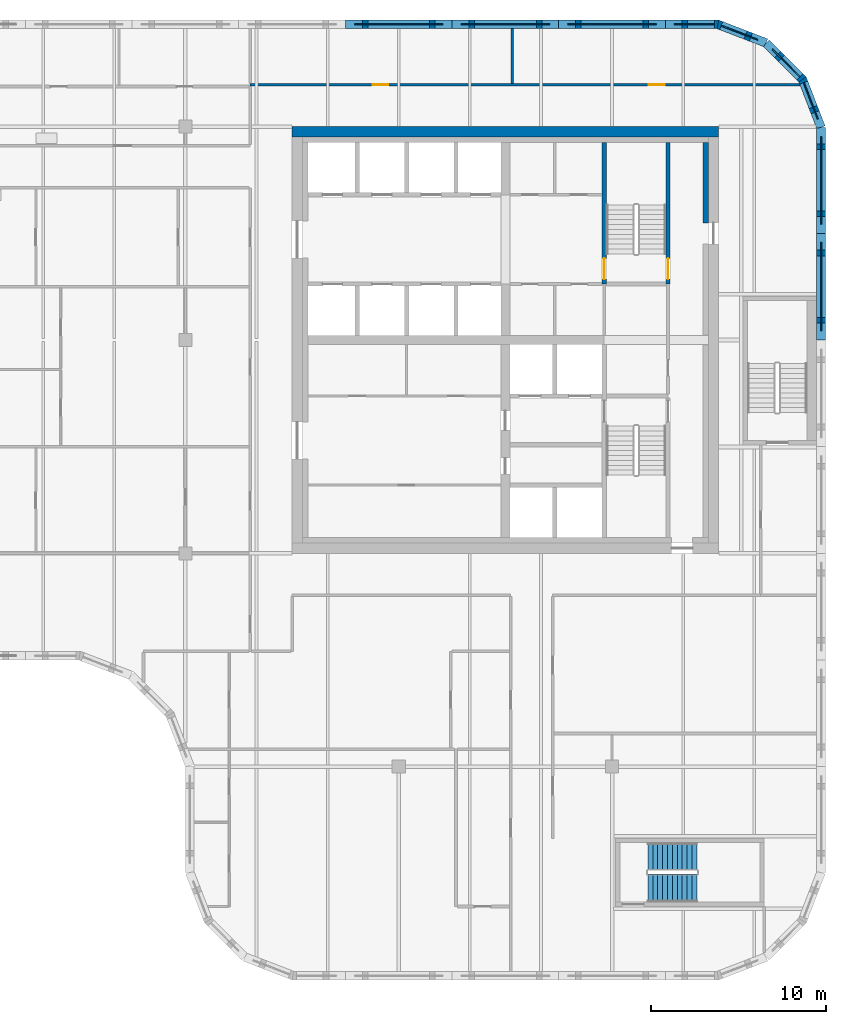
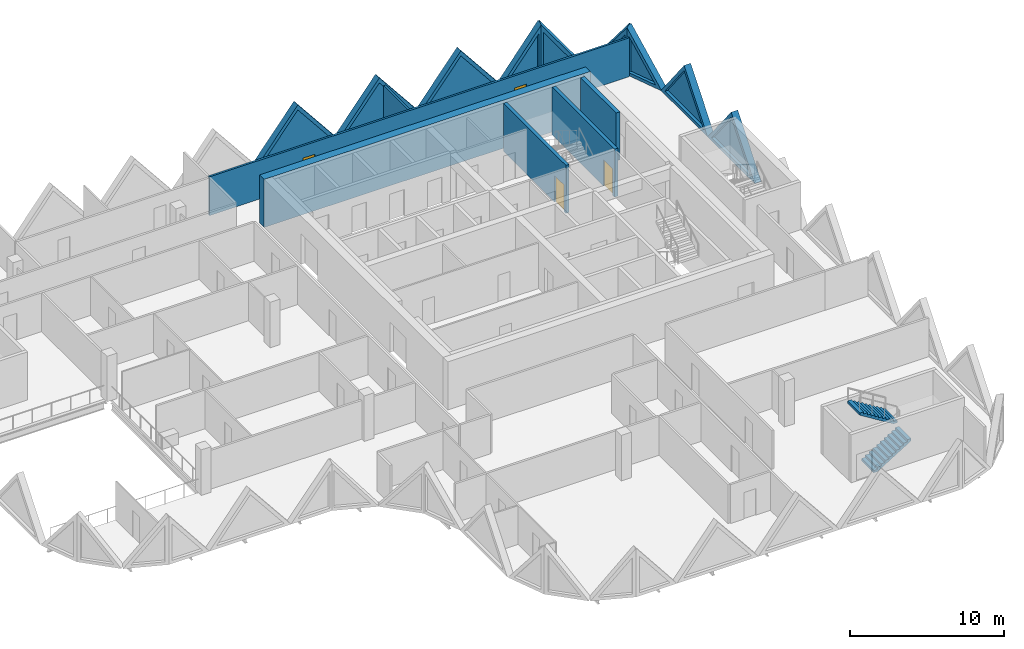
# One storey, part 9 of 12: 15 walls, 9 plates, 4 doors, 2 stair flights, 13 openings, 1 element without a shape of its own.
"""IFC4 building model written with IfcOpenShell, lengths in metres."""

from ifc_helpers import new_model, si_unit, direction, frame, frame_2d, origin, place, context, subcontext, project, spatial, polyline, rectangle, outline, extrude, faceted_brep, source, transform, mapped, material, layer, layer_set, type_object, element, fill, aggregate, save


model = new_model("IFC4")

# Units and contexts
model_context = context("Model", 3, precision=1e-05, world=origin(), true_north=direction((0.0, 1.0)))
body_context = subcontext(model_context, "Body", "Model", "MODEL_VIEW")
ifc_project = project(units=[si_unit("LENGTHUNIT", "METRE"), si_unit("AREAUNIT", "SQUARE_METRE"), si_unit("VOLUMEUNIT", "CUBIC_METRE"), si_unit("PLANEANGLEUNIT", "RADIAN"), si_unit("MASSUNIT", "GRAM", prefix="KILO")], contexts=[model_context])

# Site, building, storey
site_placement = place(None, origin())
site = spatial("IfcSite", under=ifc_project, at=site_placement, CompositionType="ELEMENT")
building_placement = place(site_placement, origin())
building = spatial("IfcBuilding", under=site, at=building_placement, Name="Tessera Gate Towers", CompositionType="ELEMENT")
storey_placement = place(building_placement, frame((0.0, 0.0, 155.39990234375)))
storey = spatial("IfcBuildingStorey", under=building, at=storey_placement, Name="L38", CompositionType="ELEMENT", Elevation=155.39990234375)

# Wall, opening, door
ifc_material_1 = material(Name="Concrete C40/50", Category="concrete")
ifc_layer_1 = layer(ifc_material_1, 0.25)
ifc_layer_set_1 = layer_set([ifc_layer_1], Name="CORE ENCLOSURE WALL 250")
wall_type_1 = type_object("IfcWallType", Name="CORE ENCLOSURE WALL 250", PredefinedType="SOLIDWALL", material=ifc_layer_set_1)
wall_1_placement = place(storey_placement, frame((48.35009765625, 47.89990234375, 0.0), z_axis=(0.0, 0.0, 1.0), x_axis=(0.0, -1.0, 0.0)))
wall_1 = element("IfcWall", 1, at=wall_1_placement, inside=storey, type_object=wall_type_1, Name="L38 shaft and stair enclosure wall", PredefinedType="SOLIDWALL", context=body_context, shape_type="SweptSolid", body=[
    extrude(rectangle(XDim=8.099853515625, YDim=0.25, at=frame_2d((4.0498046875, 0.0))), origin(), (0.0, 0.0, 1.0), 3.800048828125),
])
shared_shape_1 = source(origin(), body_context, "Body", "SweptSolid", [
    extrude(rectangle(XDim=1.199951171875, YDim=2.10009765625, at=frame_2d((0.60009765625, 1.050048828125))), frame((0.0, 0.135009765625, 0.0), z_axis=(0.0, -1.0, 0.0), x_axis=(1.0, 0.0, 0.0)), (0.0, 0.0, 1.0), 0.27001953125),
])
opening_1_placement = place(wall_1_placement, frame((6.625, 0.0, 0.0)))
opening_1 = element("IfcOpeningElement", 2, at=opening_1_placement, cuts=wall_1, Name="Opening SD-ST2-1", PredefinedType="OPENING", context=body_context, shape_type="MappedRepresentation", body=[
    mapped(shared_shape_1, transform((0.0, 0.0, 0.0), scale=1.0)),
])
ifc_material_2 = material(Name="Hollow steel fire door", Category="steel")
door_type_1 = type_object("IfcDoorType", Name="CORE DOOR SD 1200x2100", OperationType="NOTDEFINED", PredefinedType="DOOR", material=ifc_material_2)
shared_shape_2 = source(origin(), body_context, "Body", "SweptSolid", [
    extrude(rectangle(XDim=1.199951171875, YDim=2.10009765625, at=frame_2d((0.60009765625, 1.050048828125))), frame((0.0, 0.02490234375, 0.0), z_axis=(0.0, -1.0, 0.0), x_axis=(1.0, 0.0, 0.0)), (0.0, 0.0, 1.0), 0.050048828125),
])
door_1_placement = place(opening_1_placement, origin())
door_1 = element("IfcDoor", 3, at=door_1_placement, inside=storey, type_object=door_type_1, Name="Stair door", OperationType="SINGLE_SWING_RIGHT", OverallHeight=2.10009765625, OverallWidth=1.199951171875, PredefinedType="DOOR", context=body_context, shape_type="MappedRepresentation", body=[
    mapped(shared_shape_2, transform((0.0, 0.0, 0.0), scale=1.0)),
])
fill(opening_1, door_1)

wall_2_placement = place(storey_placement, frame((52.0, 39.800048828125, 0.0), z_axis=(0.0, 0.0, 1.0), x_axis=(0.0, 1.0, 0.0)))
wall_2 = element("IfcWall", 4, at=wall_2_placement, inside=storey, type_object=wall_type_1, Name="L38 shaft and stair enclosure wall", PredefinedType="SOLIDWALL", context=body_context, shape_type="SweptSolid", body=[
    extrude(rectangle(XDim=8.099853515625, YDim=0.25, at=frame_2d((4.0498046875, 0.0))), origin(), (0.0, 0.0, 1.0), 3.800048828125),
])
opening_2_placement = place(wall_2_placement, frame((0.27490234375, 0.0, 0.0)))
opening_2 = element("IfcOpeningElement", 5, at=opening_2_placement, cuts=wall_2, Name="Opening SD-ST2-2", PredefinedType="OPENING", context=body_context, shape_type="MappedRepresentation", body=[
    mapped(shared_shape_1, transform((0.0, 0.0, 0.0), scale=1.0)),
])
door_2_placement = place(opening_2_placement, origin())
door_2 = element("IfcDoor", 6, at=door_2_placement, inside=storey, type_object=door_type_1, Name="Stair door", OperationType="SINGLE_SWING_LEFT", OverallHeight=2.10009765625, OverallWidth=1.199951171875, PredefinedType="DOOR", context=body_context, shape_type="MappedRepresentation", body=[
    mapped(shared_shape_2, transform((0.0, 0.0, 0.0), scale=1.0)),
])
fill(opening_2, door_2)

# Walls
ifc_material_3 = material(Name="Concrete C50/60", Category="concrete")
ifc_layer_2 = layer(ifc_material_3, 0.60009765625)
ifc_layer_set_2 = layer_set([ifc_layer_2], Name="CORE SHEAR WALL 600 C50/60")
wall_type_2 = type_object("IfcWallType", Name="CORE SHEAR WALL 600 C50/60", PredefinedType="SHEAR", material=ifc_layer_set_2)
wall_3_placement = place(storey_placement, frame((30.5, 48.5, 0.0), z_axis=(0.0, 0.0, 1.0), x_axis=(1.0, 0.0, 0.0)))
element("IfcWall", 7, at=wall_3_placement, inside=storey, type_object=wall_type_2, Name="Core wall N L38", PredefinedType="SHEAR", context=body_context, shape_type="SweptSolid", body=[
    extrude(rectangle(XDim=24.39990234375, YDim=0.60009765625, at=frame_2d((12.199951171875, 0.0))), origin(), (0.0, 0.0, 1.0), 3.800048828125),
])
ifc_material_4 = material(Name="Concrete C50/60", Category="concrete")
ifc_layer_3 = layer(ifc_material_4, 0.300048828125)
ifc_layer_set_3 = layer_set([ifc_layer_3], Name="CORE WALL THICKENING 300")
wall_type_3 = type_object("IfcWallType", Name="CORE WALL THICKENING 300", PredefinedType="SOLIDWALL", material=ifc_layer_set_3)
wall_4_placement = place(storey_placement, frame((54.14990234375, 43.300048828125, 0.0), z_axis=(0.0, 0.0, 1.0), x_axis=(0.0, 1.0, 0.0)))
element("IfcWall", 8, at=wall_4_placement, inside=storey, type_object=wall_type_3, Name="Core wall thickening E L38", PredefinedType="SOLIDWALL", context=body_context, shape_type="SweptSolid", body=[
    extrude(rectangle(XDim=4.599853515625, YDim=0.300048828125, at=frame_2d((2.2998046875, 0.0))), origin(), (0.0, 0.0, 1.0), 3.800048828125),
])

# Wall, openings, doors
ifc_material_5 = material(Name="Gypsum board on steel studs, mineral wool", Category="steel")
ifc_layer_4 = layer(ifc_material_5, 0.14990234375)
ifc_layer_set_4 = layer_set([ifc_layer_4], Name="CORRIDOR WALL 150")
wall_type_4 = type_object("IfcWallType", Name="CORRIDOR WALL 150", PredefinedType="PARTITIONING", material=ifc_layer_set_4)
wall_5_placement = place(storey_placement, frame((28.10009765625, 51.199951171875, 0.0), z_axis=(0.0, 0.0, 1.0), x_axis=(1.0, 0.0, 0.0)))
wall_5 = element("IfcWall", 9, at=wall_5_placement, inside=storey, type_object=wall_type_4, Name="T1-L38-PW-048", PredefinedType="PARTITIONING", context=body_context, shape_type="SweptSolid", body=[
    extrude(rectangle(XDim=31.438232421875, YDim=0.14990234375, at=frame_2d((15.71923828125, 0.0))), origin(), (0.0, 0.0, 1.0), 3.067138671875),
])
shared_shape_3 = source(origin(), body_context, "Body", "SweptSolid", [
    extrude(rectangle(XDim=0.89990234375, YDim=2.10009765625, at=frame_2d((0.449951171875, 1.050048828125))), frame((0.0, 0.0849609375, 0.0), z_axis=(0.0, -1.0, 0.0), x_axis=(1.0, 0.0, 0.0)), (0.0, 0.0, 1.0), 0.169921875),
])
opening_3_placement = place(wall_5_placement, frame((7.0, 0.0, 0.0)))
opening_3 = element("IfcOpeningElement", 10, at=opening_3_placement, cuts=wall_5, Name="Opening D890FD60-A14-04", PredefinedType="OPENING", context=body_context, shape_type="MappedRepresentation", body=[
    mapped(shared_shape_3, transform((0.0, 0.0, 0.0), scale=1.0)),
])
opening_4_placement = place(wall_5_placement, frame((22.800048828125, 0.0, 0.0)))
opening_4 = element("IfcOpeningElement", 11, at=opening_4_placement, cuts=wall_5, Name="Opening D890FD60-A14-05", PredefinedType="OPENING", context=body_context, shape_type="MappedRepresentation", body=[
    mapped(shared_shape_3, transform((0.0, 0.0, 0.0), scale=1.0)),
])
ifc_material_6 = material(Name="Timber door leaf in steel frame", Category="steel")
door_type_2 = type_object("IfcDoorType", Name="CORRIDOR DOOR 900 FD60", OperationType="NOTDEFINED", PredefinedType="DOOR", material=ifc_material_6)
shared_shape_4 = source(origin(), body_context, "Body", "SweptSolid", [
    extrude(rectangle(XDim=0.89990234375, YDim=2.10009765625, at=frame_2d((0.449951171875, 1.050048828125))), frame((0.0, 0.02490234375, 0.0), z_axis=(0.0, -1.0, 0.0), x_axis=(1.0, 0.0, 0.0)), (0.0, 0.0, 1.0), 0.050048828125),
])
door_3_placement = place(opening_3_placement, origin())
door_3 = element("IfcDoor", 12, at=door_3_placement, inside=storey, type_object=door_type_2, Name="T1-L38-PD-027", OperationType="SINGLE_SWING_LEFT", OverallHeight=2.10009765625, OverallWidth=0.89990234375, PredefinedType="DOOR", context=body_context, shape_type="MappedRepresentation", body=[
    mapped(shared_shape_4, transform((0.0, 0.0, 0.0), scale=1.0)),
])
fill(opening_3, door_3)
door_4_placement = place(opening_4_placement, origin())
door_4 = element("IfcDoor", 13, at=door_4_placement, inside=storey, type_object=door_type_2, Name="T1-L38-PD-028", OperationType="SINGLE_SWING_LEFT", OverallHeight=2.10009765625, OverallWidth=0.89990234375, PredefinedType="DOOR", context=body_context, shape_type="MappedRepresentation", body=[
    mapped(shared_shape_4, transform((0.0, 0.0, 0.0), scale=1.0)),
])
fill(opening_4, door_4)

# Wall
ifc_material_7 = material(Name="Gypsum board on steel studs, mineral wool", Category="steel")
ifc_layer_5 = layer(ifc_material_7, 0.14990234375)
ifc_layer_set_5 = layer_set([ifc_layer_5], Name="TENANCY WALL 150")
wall_type_5 = type_object("IfcWallType", Name="TENANCY WALL 150", PredefinedType="PARTITIONING", material=ifc_layer_set_5)
wall_6_placement = place(storey_placement, frame((43.10009765625, 51.27587890625, 0.0), z_axis=(0.0, 0.0, 1.0), x_axis=(0.0, 1.0, 0.0)))
element("IfcWall", 14, at=wall_6_placement, inside=storey, type_object=wall_type_5, Name="T1-L38-PW-050", PredefinedType="PARTITIONING", context=body_context, shape_type="SweptSolid", body=[
    extrude(rectangle(XDim=3.1240234375, YDim=0.14990234375, at=frame_2d((1.56201171875, 0.0))), origin(), (0.0, 0.0, 1.0), 3.067138671875),
])

# Wall, opening, plate
ifc_material_8 = material(Name="Precast concrete C60/75 white", Category="concrete")
ifc_layer_6 = layer(ifc_material_8, 0.5)
ifc_layer_set_6 = layer_set([ifc_layer_6], Name="TS3 corner tessera")
wall_type_6 = type_object("IfcWallType", Name="TS3 corner tessera", PredefinedType="SOLIDWALL", material=ifc_layer_set_6)
shared_shape_5 = source(origin(), body_context, "Body", "Brep", [
    faceted_brep([(3.050048828125, -0.25, 0.0), (0.046630859375, -0.25, 3.800048828125), (0.0, -0.25, 3.739990234375), (0.0, -0.25, 0.0), (0.09326171875, 0.25, 3.7412109375), (3.050048828125, 0.25, 0.0), (0.09326171875, 0.25, 0.0), (0.046630859375, 0.0, 3.800048828125)], [[[0, 1, 2, 3]], [[4, 5, 6]], [[5, 4, 7, 1, 0]], [[2, 1, 7]], [[6, 5, 0, 3]], [[6, 3, 2, 7, 4]]]),
])
wall_7_placement = place(storey_placement, frame((54.900146484375, 54.64990234375, 0.0), z_axis=(0.0, 0.0, 1.0), x_axis=(-1.0, 0.0, 0.0)))
wall_7 = element("IfcWall", 15, at=wall_7_placement, inside=storey, type_object=wall_type_6, Name="Precast corner tessera T1 TS3-0874", PredefinedType="SOLIDWALL", context=body_context, shape_type="MappedRepresentation", body=[
    mapped(shared_shape_5, transform((0.0, 0.0, 0.0), scale=1.0)),
])
shared_shape_6 = source(origin(), body_context, "Body", "SweptSolid", [
    extrude(outline(polyline([(2.533935546875, 0.25), (0.24658203125, 3.143798828125), (0.24658203125, 0.25), (2.533935546875, 0.25)])), frame((0.0, 0.260009765625, 0.0), z_axis=(0.0, -1.0, 0.0), x_axis=(1.0, 0.0, 0.0)), (0.0, 0.0, 1.0), 0.52001953125),
])
opening_5_placement = place(wall_7_placement, origin())
opening_5 = element("IfcOpeningElement", 16, at=opening_5_placement, cuts=wall_7, Name="Opening T1-PL1-0395", PredefinedType="OPENING", context=body_context, shape_type="MappedRepresentation", body=[
    mapped(shared_shape_6, transform((0.0, 0.0, 0.0), scale=1.0)),
])
ifc_material_9 = material(Name="Low-e laminated glass", Category="glass")
ifc_layer_7 = layer(ifc_material_9, 0.06005859375)
ifc_layer_set_7 = layer_set([ifc_layer_7], Name="PL1 triangular pane")
plate_type = type_object("IfcPlateType", Name="PL1 triangular pane", PredefinedType="SHEET", material=ifc_layer_set_7)
shared_shape_7 = source(origin(), body_context, "Body", "SweptSolid", [
    extrude(outline(polyline([(2.533935546875, 0.25), (0.24658203125, 3.143798828125), (0.24658203125, 0.25), (2.533935546875, 0.25)])), frame((0.0, 0.030029296875, 0.0), z_axis=(0.0, -1.0, 0.0), x_axis=(1.0, 0.0, 0.0)), (0.0, 0.0, 1.0), 0.06005859375),
])
plate_1_placement = place(opening_5_placement, origin())
plate_1 = element("IfcPlate", 17, at=plate_1_placement, inside=storey, type_object=plate_type, Name="Glass pane T1 PL1-0395", PredefinedType="SHEET", context=body_context, shape_type="MappedRepresentation", body=[
    mapped(shared_shape_7, transform((0.0, 0.0, 0.0), scale=1.0)),
])
fill(opening_5, plate_1)

ifc_material_10 = material(Name="Precast concrete C60/75 white", Category="concrete")
ifc_layer_8 = layer(ifc_material_10, 0.5)
ifc_layer_set_8 = layer_set([ifc_layer_8], Name="TS2 half tessera")
wall_type_7 = type_object("IfcWallType", Name="TS2 half tessera", PredefinedType="SOLIDWALL", material=ifc_layer_set_8)
shared_shape_8 = source(origin(), body_context, "Body", "Brep", [
    faceted_brep([(6.099853515625, -0.25, 0.000244140625), (3.050048828125, -0.25, 3.800048828125), (0.0, -0.25, 0.0), (6.099853515625, -0.25, 0.0), (0.0, 0.25, 0.0), (3.050048828125, 0.25, 3.800048828125), (6.099853515625, 0.25, 0.000244140625), (6.099853515625, 0.25, 0.0)], [[[0, 1, 2, 3]], [[4, 5, 6, 7]], [[6, 5, 1, 0]], [[5, 4, 2, 1]], [[4, 7, 3, 2]], [[3, 7, 6, 0]]]),
])
wall_8_placement = place(storey_placement, frame((60.75, 36.60009765625, 0.0), z_axis=(0.0, 0.0, 1.0), x_axis=(0.0, 1.0, 0.0)))
wall_8 = element("IfcWall", 18, at=wall_8_placement, inside=storey, type_object=wall_type_7, Name="Precast half tessera T1 TS2-0192", PredefinedType="SOLIDWALL", context=body_context, shape_type="MappedRepresentation", body=[
    mapped(shared_shape_8, transform((0.0, 0.0, 0.0), scale=1.0)),
])
shared_shape_9 = source(origin(), body_context, "Body", "SweptSolid", [
    extrude(outline(polyline([(5.578857421875, 0.25), (3.050048828125, 3.400634765625), (0.521240234375, 0.25), (5.578857421875, 0.25)])), frame((0.0, 0.260009765625, 0.0), z_axis=(0.0, -1.0, 0.0), x_axis=(1.0, 0.0, 0.0)), (0.0, 0.0, 1.0), 0.52001953125),
])
opening_6_placement = place(wall_8_placement, origin())
opening_6 = element("IfcOpeningElement", 19, at=opening_6_placement, cuts=wall_8, Name="Opening T1-PL1-0390", PredefinedType="OPENING", context=body_context, shape_type="MappedRepresentation", body=[
    mapped(shared_shape_9, transform((0.0, 0.0, 0.0), scale=1.0)),
])
shared_shape_10 = source(origin(), body_context, "Body", "SweptSolid", [
    extrude(outline(polyline([(5.578857421875, 0.25), (3.050048828125, 3.400634765625), (0.521240234375, 0.25), (5.578857421875, 0.25)])), frame((0.0, 0.030029296875, 0.0), z_axis=(0.0, -1.0, 0.0), x_axis=(1.0, 0.0, 0.0)), (0.0, 0.0, 1.0), 0.06005859375),
])
plate_2_placement = place(opening_6_placement, origin())
plate_2 = element("IfcPlate", 20, at=plate_2_placement, inside=storey, type_object=plate_type, Name="Glass pane T1 PL1-0390", PredefinedType="SHEET", context=body_context, shape_type="MappedRepresentation", body=[
    mapped(shared_shape_10, transform((0.0, 0.0, 0.0), scale=1.0)),
])
fill(opening_6, plate_2)

wall_9_placement = place(storey_placement, frame((39.64990234375, 54.64990234375, 0.0), z_axis=(0.0, 0.0, 1.0), x_axis=(-1.0, 0.0, 0.0)))
wall_9 = element("IfcWall", 21, at=wall_9_placement, inside=storey, type_object=wall_type_7, Name="Precast half tessera T1 TS2-0196", PredefinedType="SOLIDWALL", context=body_context, shape_type="MappedRepresentation", body=[
    mapped(shared_shape_8, transform((0.0, 0.0, 0.0), scale=1.0)),
])
opening_7_placement = place(wall_9_placement, origin())
opening_7 = element("IfcOpeningElement", 22, at=opening_7_placement, cuts=wall_9, Name="Opening T1-PL1-0398", PredefinedType="OPENING", context=body_context, shape_type="MappedRepresentation", body=[
    mapped(shared_shape_9, transform((0.0, 0.0, 0.0), scale=1.0)),
])
plate_3_placement = place(opening_7_placement, origin())
plate_3 = element("IfcPlate", 23, at=plate_3_placement, inside=storey, type_object=plate_type, Name="Glass pane T1 PL1-0398", PredefinedType="SHEET", context=body_context, shape_type="MappedRepresentation", body=[
    mapped(shared_shape_10, transform((0.0, 0.0, 0.0), scale=1.0)),
])
fill(opening_7, plate_3)

shared_shape_11 = source(origin(), body_context, "Body", "SweptSolid", [
    extrude(outline(polyline([(6.10009765625, 0.0), (3.050048828125, 3.800048828125), (0.0, 0.0), (6.10009765625, 0.0)])), frame((0.0, 0.25, 0.0), z_axis=(0.0, -1.0, 0.0), x_axis=(1.0, 0.0, 0.0)), (0.0, 0.0, 1.0), 0.5),
])
wall_10_placement = place(storey_placement, frame((51.85009765625, 54.64990234375, 0.0), z_axis=(0.0, 0.0, 1.0), x_axis=(-1.0, 0.0, 0.0)))
wall_10 = element("IfcWall", 24, at=wall_10_placement, inside=storey, type_object=wall_type_7, Name="Precast half tessera T1 TS2-0194", PredefinedType="SOLIDWALL", context=body_context, shape_type="MappedRepresentation", body=[
    mapped(shared_shape_11, transform((0.0, 0.0, 0.0), scale=1.0)),
])
opening_8_placement = place(wall_10_placement, origin())
opening_8 = element("IfcOpeningElement", 25, at=opening_8_placement, cuts=wall_10, Name="Opening T1-PL1-0396", PredefinedType="OPENING", context=body_context, shape_type="MappedRepresentation", body=[
    mapped(shared_shape_9, transform((0.0, 0.0, 0.0), scale=1.0)),
])
plate_4_placement = place(opening_8_placement, origin())
plate_4 = element("IfcPlate", 26, at=plate_4_placement, inside=storey, type_object=plate_type, Name="Glass pane T1 PL1-0396", PredefinedType="SHEET", context=body_context, shape_type="MappedRepresentation", body=[
    mapped(shared_shape_10, transform((0.0, 0.0, 0.0), scale=1.0)),
])
fill(opening_8, plate_4)

wall_11_placement = place(storey_placement, frame((45.75, 54.64990234375, 0.0), z_axis=(0.0, 0.0, 1.0), x_axis=(-1.0, 0.0, 0.0)))
wall_11 = element("IfcWall", 27, at=wall_11_placement, inside=storey, type_object=wall_type_7, Name="Precast half tessera T1 TS2-0195", PredefinedType="SOLIDWALL", context=body_context, shape_type="MappedRepresentation", body=[
    mapped(shared_shape_11, transform((0.0, 0.0, 0.0), scale=1.0)),
])
opening_9_placement = place(wall_11_placement, origin())
opening_9 = element("IfcOpeningElement", 28, at=opening_9_placement, cuts=wall_11, Name="Opening T1-PL1-0397", PredefinedType="OPENING", context=body_context, shape_type="MappedRepresentation", body=[
    mapped(shared_shape_9, transform((0.0, 0.0, 0.0), scale=1.0)),
])
plate_5_placement = place(opening_9_placement, origin())
plate_5 = element("IfcPlate", 29, at=plate_5_placement, inside=storey, type_object=plate_type, Name="Glass pane T1 PL1-0397", PredefinedType="SHEET", context=body_context, shape_type="MappedRepresentation", body=[
    mapped(shared_shape_10, transform((0.0, 0.0, 0.0), scale=1.0)),
])
fill(opening_9, plate_5)

shared_shape_12 = source(origin(), body_context, "Body", "Brep", [
    faceted_brep([(6.053466796875, -0.25, 0.0), (3.050048828125, -0.25, 3.800048828125), (0.0, -0.25, 0.0), (0.0, 0.25, 0.0), (3.050048828125, 0.25, 3.800048828125), (6.0068359375, 0.25, 0.058837890625), (6.0068359375, 0.25, 0.0), (6.053466796875, 0.0, 0.0)], [[[0, 1, 2]], [[3, 4, 5, 6]], [[5, 4, 1, 0, 7]], [[4, 3, 2, 1]], [[3, 6, 7, 0, 2]], [[7, 6, 5]]]),
])
wall_12_placement = place(storey_placement, frame((60.75, 42.699951171875, 0.0), z_axis=(0.0, 0.0, 1.0), x_axis=(0.0, 1.0, 0.0)))
wall_12 = element("IfcWall", 30, at=wall_12_placement, inside=storey, type_object=wall_type_7, Name="Precast half tessera T1 TS2-0193", PredefinedType="SOLIDWALL", context=body_context, shape_type="MappedRepresentation", body=[
    mapped(shared_shape_12, transform((0.0, 0.0, 0.0), scale=1.0)),
])
shared_shape_13 = source(origin(), body_context, "Body", "SweptSolid", [
    extrude(outline(polyline([(5.537109375, 0.25), (3.048583984375, 3.39892578125), (0.521240234375, 0.25), (5.537109375, 0.25)])), frame((0.0, 0.260009765625, 0.0), z_axis=(0.0, -1.0, 0.0), x_axis=(1.0, 0.0, 0.0)), (0.0, 0.0, 1.0), 0.52001953125),
])
opening_10_placement = place(wall_12_placement, origin())
opening_10 = element("IfcOpeningElement", 31, at=opening_10_placement, cuts=wall_12, Name="Opening T1-PL1-0391", PredefinedType="OPENING", context=body_context, shape_type="MappedRepresentation", body=[
    mapped(shared_shape_13, transform((0.0, 0.0, 0.0), scale=1.0)),
])
shared_shape_14 = source(origin(), body_context, "Body", "SweptSolid", [
    extrude(outline(polyline([(5.537109375, 0.25), (3.048583984375, 3.39892578125), (0.521240234375, 0.25), (5.537109375, 0.25)])), frame((0.0, 0.030029296875, 0.0), z_axis=(0.0, -1.0, 0.0), x_axis=(1.0, 0.0, 0.0)), (0.0, 0.0, 1.0), 0.06005859375),
])
plate_6_placement = place(opening_10_placement, origin())
plate_6 = element("IfcPlate", 32, at=plate_6_placement, inside=storey, type_object=plate_type, Name="Glass pane T1 PL1-0391", PredefinedType="SHEET", context=body_context, shape_type="MappedRepresentation", body=[
    mapped(shared_shape_14, transform((0.0, 0.0, 0.0), scale=1.0)),
])
fill(opening_10, plate_6)

shared_shape_15 = source(origin(), body_context, "Body", "Brep", [
    faceted_brep([(3.00341796875, -0.25, 3.731689453125), (2.950439453125, -0.25, 3.800048828125), (0.0, -0.25, 0.0), (3.00341796875, -0.25, 0.0), (0.046630859375, 0.25, 0.06005859375), (2.897705078125, 0.25, 3.73193359375), (2.897705078125, 0.25, 0.0), (0.046630859375, 0.25, 0.0), (2.950439453125, 0.00048828125, 3.800048828125), (0.0, 0.0, 0.0)], [[[0, 1, 2, 3]], [[4, 5, 6, 7]], [[8, 1, 0]], [[5, 4, 9, 2, 1, 8]], [[7, 6, 3, 2, 9]], [[7, 9, 4]], [[3, 6, 5, 8, 0]]]),
])
wall_13_placement = place(storey_placement, frame((60.75, 48.75341796875, 0.0), z_axis=(0.0, 0.0, 1.0), x_axis=(-0.35992665181, 0.932980602862, 0.0)))
wall_13 = element("IfcWall", 33, at=wall_13_placement, inside=storey, type_object=wall_type_6, Name="Precast corner tessera T1 TS3-0871", PredefinedType="SOLIDWALL", context=body_context, shape_type="MappedRepresentation", body=[
    mapped(shared_shape_15, transform((0.0, 0.0, 0.0), scale=1.0)),
])
shared_shape_16 = source(origin(), body_context, "Body", "SweptSolid", [
    extrude(outline(polyline([(2.75048828125, 3.134765625), (0.5107421875, 0.25), (2.75048828125, 0.25), (2.75048828125, 3.134765625)])), frame((0.0, 0.260009765625, 0.0), z_axis=(0.0, -1.0, 0.0), x_axis=(1.0, 0.0, 0.0)), (0.0, 0.0, 1.0), 0.52001953125),
])
opening_11_placement = place(wall_13_placement, origin())
opening_11 = element("IfcOpeningElement", 34, at=opening_11_placement, cuts=wall_13, Name="Opening T1-PL1-0392", PredefinedType="OPENING", context=body_context, shape_type="MappedRepresentation", body=[
    mapped(shared_shape_16, transform((0.0, 0.0, 0.0), scale=1.0)),
])
shared_shape_17 = source(origin(), body_context, "Body", "SweptSolid", [
    extrude(outline(polyline([(2.75048828125, 3.134765625), (0.5107421875, 0.25), (2.75048828125, 0.25), (2.75048828125, 3.134765625)])), frame((0.0, 0.030029296875, 0.0), z_axis=(0.0, -1.0, 0.0), x_axis=(1.0, 0.0, 0.0)), (0.0, 0.0, 1.0), 0.06005859375),
])
plate_7_placement = place(opening_11_placement, origin())
plate_7 = element("IfcPlate", 35, at=plate_7_placement, inside=storey, type_object=plate_type, Name="Glass pane T1 PL1-0392", PredefinedType="SHEET", context=body_context, shape_type="MappedRepresentation", body=[
    mapped(shared_shape_17, transform((0.0, 0.0, 0.0), scale=1.0)),
])
fill(opening_11, plate_7)

shared_shape_18 = source(origin(), body_context, "Body", "Brep", [
    faceted_brep([(2.9970703125, -0.25, 0.0), (0.052978515625, -0.25, 3.800048828125), (0.0, -0.25, 3.73193359375), (0.0, -0.25, 0.0), (0.10595703125, 0.25, 3.731689453125), (2.944091796875, 0.25, 0.068115234375), (2.944091796875, 0.25, 0.0), (0.10595703125, 0.25, 0.0), (0.052978515625, 0.0, 3.800048828125), (2.9970703125, 0.000244140625, 0.0)], [[[0, 1, 2, 3]], [[4, 5, 6, 7]], [[5, 4, 8, 1, 0, 9]], [[2, 1, 8]], [[7, 6, 9, 0, 3]], [[7, 3, 2, 8, 4]], [[9, 6, 5]]]),
])
wall_14_placement = place(storey_placement, frame((59.7255859375, 51.46875, 0.0), z_axis=(0.0, 0.0, 1.0), x_axis=(-0.707106781187, 0.707106781187, 0.0)))
wall_14 = element("IfcWall", 36, at=wall_14_placement, inside=storey, type_object=wall_type_6, Name="Precast corner tessera T1 TS3-0872", PredefinedType="SOLIDWALL", context=body_context, shape_type="MappedRepresentation", body=[
    mapped(shared_shape_18, transform((0.0, 0.0, 0.0), scale=1.0)),
])
shared_shape_19 = source(origin(), body_context, "Body", "SweptSolid", [
    extrude(outline(polyline([(2.487060546875, 0.25), (0.2529296875, 3.1337890625), (0.2529296875, 0.25), (2.487060546875, 0.25)])), frame((0.0, 0.260009765625, 0.0), z_axis=(0.0, -1.0, 0.0), x_axis=(1.0, 0.0, 0.0)), (0.0, 0.0, 1.0), 0.52001953125),
])
opening_12_placement = place(wall_14_placement, origin())
opening_12 = element("IfcOpeningElement", 37, at=opening_12_placement, cuts=wall_14, Name="Opening T1-PL1-0393", PredefinedType="OPENING", context=body_context, shape_type="MappedRepresentation", body=[
    mapped(shared_shape_19, transform((0.0, 0.0, 0.0), scale=1.0)),
])
shared_shape_20 = source(origin(), body_context, "Body", "SweptSolid", [
    extrude(outline(polyline([(2.487060546875, 0.25), (0.2529296875, 3.1337890625), (0.2529296875, 0.25), (2.487060546875, 0.25)])), frame((0.0, 0.030029296875, 0.0), z_axis=(0.0, -1.0, 0.0), x_axis=(1.0, 0.0, 0.0)), (0.0, 0.0, 1.0), 0.06005859375),
])
plate_8_placement = place(opening_12_placement, origin())
plate_8 = element("IfcPlate", 38, at=plate_8_placement, inside=storey, type_object=plate_type, Name="Glass pane T1 PL1-0393", PredefinedType="SHEET", context=body_context, shape_type="MappedRepresentation", body=[
    mapped(shared_shape_20, transform((0.0, 0.0, 0.0), scale=1.0)),
])
fill(opening_12, plate_8)

shared_shape_21 = source(origin(), body_context, "Body", "Brep", [
    faceted_brep([(2.9970703125, -0.25, 3.740966796875), (2.950439453125, -0.25, 3.800048828125), (0.0, -0.25, 0.0), (2.9970703125, -0.25, 0.0), (0.052978515625, 0.25, 0.068115234375), (2.904052734375, 0.25, 3.740234375), (2.904052734375, 0.25, 0.0), (0.052978515625, 0.25, 0.0), (2.950439453125, 0.00048828125, 3.800048828125), (0.0, 0.0, 0.0)], [[[0, 1, 2, 3]], [[4, 5, 6, 7]], [[8, 1, 0]], [[5, 4, 9, 2, 1, 8]], [[7, 6, 3, 2, 9]], [[7, 9, 4]], [[3, 6, 5, 8, 0]]]),
])
wall_15_placement = place(storey_placement, frame((57.606201171875, 53.588134765625, 0.0), z_axis=(0.0, 0.0, 1.0), x_axis=(-0.932990326376, 0.359901446078, 0.0)))
wall_15 = element("IfcWall", 39, at=wall_15_placement, inside=storey, type_object=wall_type_6, Name="Precast corner tessera T1 TS3-0873", PredefinedType="SOLIDWALL", context=body_context, shape_type="MappedRepresentation", body=[
    mapped(shared_shape_21, transform((0.0, 0.0, 0.0), scale=1.0)),
])
opening_13_placement = place(wall_15_placement, origin())
opening_13 = element("IfcOpeningElement", 40, at=opening_13_placement, cuts=wall_15, Name="Opening T1-PL1-0394", PredefinedType="OPENING", context=body_context, shape_type="MappedRepresentation", body=[
    mapped(shared_shape_16, transform((0.0, 0.0, 0.0), scale=1.0)),
])
plate_9_placement = place(opening_13_placement, origin())
plate_9 = element("IfcPlate", 41, at=plate_9_placement, inside=storey, type_object=plate_type, Name="Glass pane T1 PL1-0394", PredefinedType="SHEET", context=body_context, shape_type="MappedRepresentation", body=[
    mapped(shared_shape_17, transform((0.0, 0.0, 0.0), scale=1.0)),
])
fill(opening_13, plate_9)

# Stair, stair flights
ifc_material_11 = material(Name="Concrete C40/50", Category="concrete")
stair_type = type_object("IfcStairType", Name="EXIT STAIR ST4 1600", PredefinedType="HALF_TURN_STAIR", material=ifc_material_11)
stair_placement = place(storey_placement, origin())
stair = element("IfcStair", 42, at=stair_placement, inside=storey, type_object=stair_type, Name="L38 South Exit Stair ST4", PredefinedType="HALF_TURN_STAIR")
ifc_material_12 = material(Name="Concrete C40/50", Category="concrete")
stair_flight_type = type_object("IfcStairFlightType", Name="EXIT STAIR FLIGHT ST4 1600", PredefinedType="STRAIGHT", material=ifc_material_12)
stair_flight_1_placement = place(storey_placement, frame((50.85009765625, 5.25, 0.0), z_axis=(0.0, 0.0, 1.0), x_axis=(1.0, 0.0, 0.0)))
stair_flight_1 = element("IfcStairFlight", 43, at=stair_flight_1_placement, type_object=stair_flight_type, Name="ST4 flight 1", NumberOfRisers=11, NumberOfTreads=10, PredefinedType="STRAIGHT", RiserHeight=0.172727273, TreadLength=0.28, context=body_context, shape_type="SweptSolid", body=[
    extrude(outline(polyline([(0.0, 0.0), (0.0, 0.172607421875), (0.280029296875, 0.172607421875), (0.280029296875, 0.345458984375), (0.56005859375, 0.345458984375), (0.56005859375, 0.51806640625), (0.840087890625, 0.51806640625), (0.840087890625, 0.69091796875), (1.1201171875, 0.69091796875), (1.1201171875, 0.863525390625), (1.39990234375, 0.863525390625), (1.39990234375, 1.036376953125), (1.679931640625, 1.036376953125), (1.679931640625, 1.208984375), (1.9599609375, 1.208984375), (1.9599609375, 1.3818359375), (2.239990234375, 1.3818359375), (2.239990234375, 1.554443359375), (2.52001953125, 1.554443359375), (2.52001953125, 1.727294921875), (2.800048828125, 1.727294921875), (2.800048828125, 1.89990234375), (2.800048828125, 1.551025390625), (0.285400390625, 0.0), (0.0, 0.0)])), frame((0.0, 0.800048828125, 0.0), z_axis=(0.0, -1.0, 0.0), x_axis=(1.0, 0.0, 0.0)), (0.0, 0.0, 1.0), 1.60009765625),
])
stair_flight_2_placement = place(storey_placement, frame((53.64990234375, 7.050048828125, 1.900146484375), z_axis=(0.0, 0.0, 1.0), x_axis=(-1.0, 0.0, 0.0)))
stair_flight_2 = element("IfcStairFlight", 44, at=stair_flight_2_placement, type_object=stair_flight_type, Name="ST4 flight 2", NumberOfRisers=11, NumberOfTreads=10, PredefinedType="STRAIGHT", RiserHeight=0.172727273, TreadLength=0.28, context=body_context, shape_type="SweptSolid", body=[
    extrude(outline(polyline([(0.0, 0.0), (0.0, 0.172607421875), (0.280029296875, 0.172607421875), (0.280029296875, 0.345458984375), (0.56005859375, 0.345458984375), (0.56005859375, 0.51806640625), (0.840087890625, 0.51806640625), (0.840087890625, 0.69091796875), (1.1201171875, 0.69091796875), (1.1201171875, 0.863525390625), (1.39990234375, 0.863525390625), (1.39990234375, 1.036376953125), (1.679931640625, 1.036376953125), (1.679931640625, 1.208984375), (1.9599609375, 1.208984375), (1.9599609375, 1.3818359375), (2.239990234375, 1.3818359375), (2.239990234375, 1.554443359375), (2.52001953125, 1.554443359375), (2.52001953125, 1.727294921875), (2.800048828125, 1.727294921875), (2.800048828125, 1.89990234375), (2.800048828125, 1.551025390625), (0.285400390625, 0.0), (0.0, 0.0)])), frame((0.0, 0.800048828125, 0.0), z_axis=(0.0, -1.0, 0.0), x_axis=(1.0, 0.0, 0.0)), (0.0, 0.0, 1.0), 1.60009765625),
])
aggregate(stair, [stair_flight_1, stair_flight_2])

save(model, "model.ifc")
